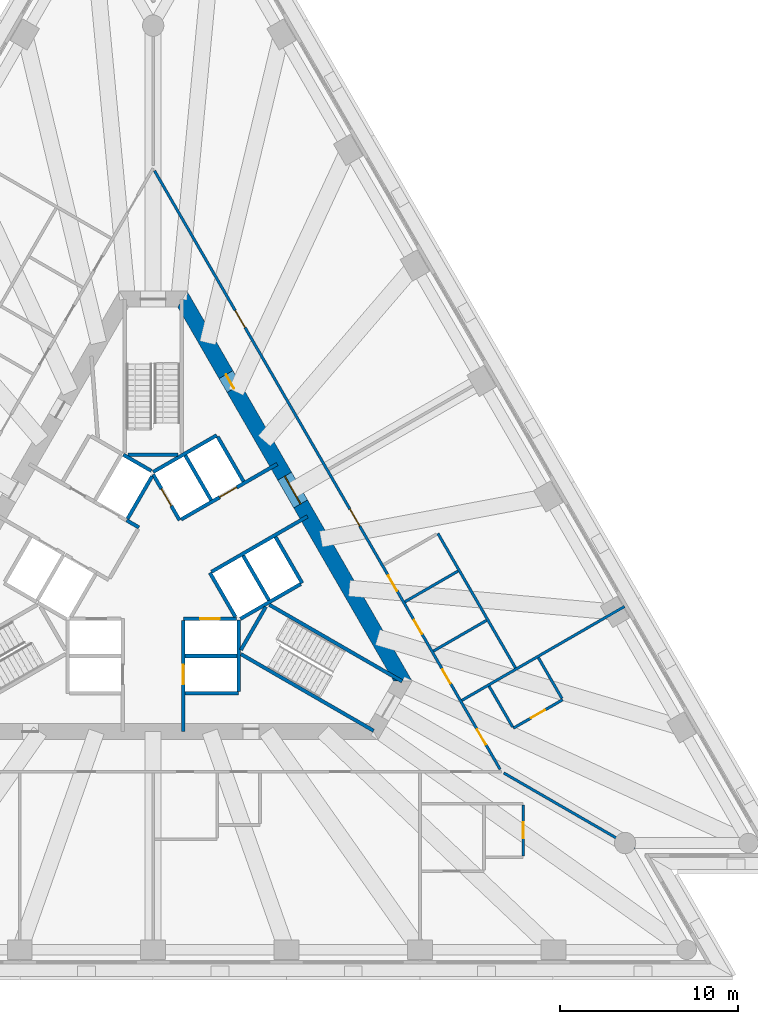
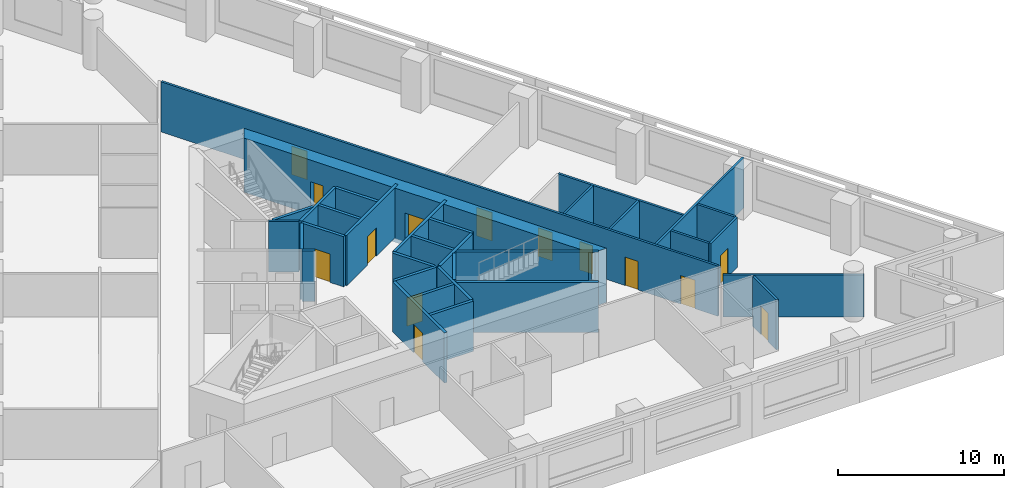
# One storey, part 5 of 9: 33 walls, 14 doors, 14 openings.
"""IFC4 building model written with IfcOpenShell, lengths in metres."""

from ifc_helpers import new_model, si_unit, direction, frame, frame_2d, origin, place, context, subcontext, project, spatial, polyline, rectangle, outline, extrude, material, layer, layer_set, type_object, element, fill, save


model = new_model("IFC4")

# Units and contexts
model_context = context("Model", 3, precision=1e-05, world=origin(), true_north=direction((0.0, 1.0)))
body_context = subcontext(model_context, "Body", "Model", "MODEL_VIEW")
ifc_project = project(units=[si_unit("LENGTHUNIT", "METRE"), si_unit("AREAUNIT", "SQUARE_METRE"), si_unit("VOLUMEUNIT", "CUBIC_METRE"), si_unit("PLANEANGLEUNIT", "RADIAN"), si_unit("MASSUNIT", "GRAM", prefix="KILO")], contexts=[model_context])

# Site, building, storey
site_placement = place(None, origin())
site = spatial("IfcSite", under=ifc_project, at=site_placement, CompositionType="ELEMENT")
building_placement = place(site_placement, origin())
building = spatial("IfcBuilding", under=site, at=building_placement, Name="Triada Interchange Tower", CompositionType="ELEMENT")
storey_placement = place(building_placement, frame((0.0, 0.0, 55.300048828125)))
storey = spatial("IfcBuildingStorey", under=building, at=storey_placement, Name="L11", CompositionType="ELEMENT", Elevation=55.300048828125)

# Walls
ifc_material_1 = material(Name="Concrete C30/37", Category="concrete")
ifc_layer_1 = layer(ifc_material_1, 0.199951171875)
ifc_layer_set_1 = layer_set([ifc_layer_1], Name="CORE WALL 200 EI 120")
wall_type_1 = type_object("IfcWallType", Name="CORE WALL 200 EI 120", PredefinedType="SOLIDWALL", material=ifc_layer_set_1)
wall_1_placement = place(storey_placement, frame((1.800048828125, -4.800048828125, 0.0), z_axis=(0.0, 0.0, 1.0), x_axis=(1.0, 0.0, 0.0)))
element("IfcWall", 1, at=wall_1_placement, inside=storey, type_object=wall_type_1, Name="Wall L09 40", PredefinedType="SOLIDWALL", context=body_context, shape_type="SweptSolid", body=[
    extrude(rectangle(XDim=2.89990234375, YDim=0.199951171875, at=frame_2d((1.449951171875, 0.0))), origin(), (0.0, 0.0, 1.0), 3.699951171875),
])
wall_2_placement = place(storey_placement, frame((1.800048828125, -6.89990234375, 0.0), z_axis=(0.0, 0.0, 1.0), x_axis=(1.0, 0.0, 0.0)))
element("IfcWall", 2, at=wall_2_placement, inside=storey, type_object=wall_type_1, Name="Wall L09 43", PredefinedType="SOLIDWALL", context=body_context, shape_type="SweptSolid", body=[
    extrude(rectangle(XDim=3.0, YDim=0.199951171875, at=frame_2d((1.5, 0.0))), origin(), (0.0, 0.0, 1.0), 3.699951171875),
])

# Wall, opening, door
wall_3_placement = place(storey_placement, frame((1.702880859375, -2.699951171875, 0.0), z_axis=(0.0, 0.0, 1.0), x_axis=(1.0, 0.0, 0.0)))
wall_3 = element("IfcWall", 3, at=wall_3_placement, inside=storey, type_object=wall_type_1, Name="Wall L09 46", PredefinedType="SOLIDWALL", context=body_context, shape_type="SweptSolid", body=[
    extrude(rectangle(XDim=2.97314453125, YDim=0.199951171875, at=frame_2d((1.486572265625, 0.0))), origin(), (0.0, 0.0, 1.0), 3.699951171875),
])
opening_1_placement = place(wall_3_placement, frame((0.93603515625, 0.0, 0.0)))
opening_1 = element("IfcOpeningElement", 4, at=opening_1_placement, cuts=wall_3, Name="Opening LD-LR1", PredefinedType="OPENING", context=body_context, shape_type="SweptSolid", body=[
    extrude(rectangle(XDim=1.10009765625, YDim=2.10009765625, at=frame_2d((0.550048828125, 1.050048828125))), frame((0.0, 0.10986328125, 0.0), z_axis=(0.0, -1.0, 0.0), x_axis=(1.0, 0.0, 0.0)), (0.0, 0.0, 1.0), 0.219970703125),
])
ifc_material_2 = material(Name="Steel S235 door leaf", Category="steel")
door_type_1 = type_object("IfcDoorType", Name="LIFT LANDING DOOR 1100 EI 120", OperationType="SLIDING_TO_LEFT", PredefinedType="DOOR", material=ifc_material_2)
door_1_placement = place(opening_1_placement, origin())
door_1 = element("IfcDoor", 5, at=door_1_placement, inside=storey, type_object=door_type_1, Name="LR1 landing door L11", OperationType="SLIDING_TO_LEFT", OverallHeight=2.10009765625, OverallWidth=1.10009765625, PredefinedType="DOOR", context=body_context, shape_type="SweptSolid", body=[
    extrude(rectangle(XDim=1.10009765625, YDim=2.10009765625, at=frame_2d((0.550048828125, 1.050048828125))), frame((0.0, 0.02490234375, 0.0), z_axis=(0.0, -1.0, 0.0), x_axis=(1.0, 0.0, 0.0)), (0.0, 0.0, 1.0), 0.050048828125),
])
fill(opening_1, door_1)

# Wall
wall_4_placement = place(storey_placement, frame((-0.001953125, 5.541015625, 0.0), z_axis=(0.0, 0.0, 1.0), x_axis=(0.86600155993, 0.500041296494, 0.0)))
element("IfcWall", 6, at=wall_4_placement, inside=storey, type_object=wall_type_1, Name="Wall L09 47", PredefinedType="SOLIDWALL", context=body_context, shape_type="SweptSolid", body=[
    extrude(rectangle(XDim=4.131591796875, YDim=0.199951171875, at=frame_2d((2.06591796875, 0.0))), origin(), (0.0, 0.0, 1.0), 3.699951171875),
])

# Wall, opening, door
wall_5_placement = place(storey_placement, frame((0.0, 5.39990234375, 0.0), z_axis=(0.0, 0.0, 1.0), x_axis=(0.500103862429, -0.865965430478, 0.0)))
wall_5 = element("IfcWall", 7, at=wall_5_placement, inside=storey, type_object=wall_type_1, Name="Wall L09 48", PredefinedType="SOLIDWALL", context=body_context, shape_type="SweptSolid", body=[
    extrude(rectangle(XDim=2.973388671875, YDim=0.199951171875, at=frame_2d((1.48681640625, 0.0))), origin(), (0.0, 0.0, 1.0), 3.699951171875),
])
opening_2_placement = place(wall_5_placement, frame((0.93701171875, 0.0, 0.0)))
opening_2 = element("IfcOpeningElement", 8, at=opening_2_placement, cuts=wall_5, Name="Opening LD-LR5", PredefinedType="OPENING", context=body_context, shape_type="SweptSolid", body=[
    extrude(rectangle(XDim=1.10009765625, YDim=2.10009765625, at=frame_2d((0.550048828125, 1.050048828125))), frame((0.0, 0.10986328125, 0.0), z_axis=(0.0, -1.0, 0.0), x_axis=(1.0, 0.0, 0.0)), (0.0, 0.0, 1.0), 0.219970703125),
])
door_2_placement = place(opening_2_placement, origin())
door_2 = element("IfcDoor", 9, at=door_2_placement, inside=storey, type_object=door_type_1, Name="LR5 landing door L11", OperationType="SLIDING_TO_LEFT", OverallHeight=2.10009765625, OverallWidth=1.10009765625, PredefinedType="DOOR", context=body_context, shape_type="SweptSolid", body=[
    extrude(rectangle(XDim=1.10009765625, YDim=2.10009765625, at=frame_2d((0.550048828125, 1.050048828125))), frame((0.0, 0.02490234375, 0.0), z_axis=(0.0, -1.0, 0.0), x_axis=(1.0, 0.0, 0.0)), (0.0, 0.0, 1.0), 0.050048828125),
])
fill(opening_2, door_2)

# Wall
wall_6_placement = place(storey_placement, frame((3.18994140625, -0.125, 0.0), z_axis=(0.0, 0.0, 1.0), x_axis=(0.499988658015, -0.866031951983, 0.0)))
element("IfcWall", 10, at=wall_6_placement, inside=storey, type_object=wall_type_1, Name="Wall L09 49", PredefinedType="SOLIDWALL", context=body_context, shape_type="SweptSolid", body=[
    extrude(rectangle(XDim=2.85791015625, YDim=0.199951171875, at=frame_2d((1.428955078125, 0.0))), origin(), (0.0, 0.0, 1.0), 3.699951171875),
])

# Wall, opening, door
wall_7_placement = place(storey_placement, frame((1.577880859375, 2.8740234375, 0.0), z_axis=(0.0, 0.0, 1.0), x_axis=(0.866031483044, 0.499989470266, 0.0)))
wall_7 = element("IfcWall", 11, at=wall_7_placement, inside=storey, type_object=wall_type_1, Name="Wall L09 50", PredefinedType="SOLIDWALL", context=body_context, shape_type="SweptSolid", body=[
    extrude(rectangle(XDim=6.226318359375, YDim=0.199951171875, at=frame_2d((3.11328125, 0.0))), origin(), (0.0, 0.0, 1.0), 3.699951171875),
])
opening_3_placement = place(wall_7_placement, frame((2.49609375, 0.0, 0.0)))
opening_3 = element("IfcOpeningElement", 12, at=opening_3_placement, cuts=wall_7, Name="Opening LD-LR6", PredefinedType="OPENING", context=body_context, shape_type="SweptSolid", body=[
    extrude(rectangle(XDim=1.10009765625, YDim=2.10009765625, at=frame_2d((0.550048828125, 1.050048828125))), frame((0.0, 0.10986328125, 0.0), z_axis=(0.0, -1.0, 0.0), x_axis=(1.0, 0.0, 0.0)), (0.0, 0.0, 1.0), 0.219970703125),
])
door_3_placement = place(opening_3_placement, origin())
door_3 = element("IfcDoor", 13, at=door_3_placement, inside=storey, type_object=door_type_1, Name="LR6 landing door L11", OperationType="SLIDING_TO_LEFT", OverallHeight=2.10009765625, OverallWidth=1.10009765625, PredefinedType="DOOR", context=body_context, shape_type="SweptSolid", body=[
    extrude(rectangle(XDim=1.10009765625, YDim=2.10009765625, at=frame_2d((0.550048828125, 1.050048828125))), frame((0.0, 0.02490234375, 0.0), z_axis=(0.0, -1.0, 0.0), x_axis=(1.0, 0.0, 0.0)), (0.0, 0.0, 1.0), 0.050048828125),
])
fill(opening_3, door_3)

wall_8_placement = place(storey_placement, frame((1.699951171875, -9.030029296875, 0.0), z_axis=(0.0, 0.0, 1.0), x_axis=(0.0, 1.0, 0.0)))
wall_8 = element("IfcWall", 14, at=wall_8_placement, inside=storey, type_object=wall_type_1, Name="Wall L09 51", PredefinedType="SOLIDWALL", context=body_context, shape_type="SweptSolid", body=[
    extrude(rectangle(XDim=6.22705078125, YDim=0.199951171875, at=frame_2d((3.113525390625, 0.0))), origin(), (0.0, 0.0, 1.0), 3.699951171875),
])
opening_4_placement = place(wall_8_placement, frame((2.6298828125, 0.0, 0.0)))
opening_4 = element("IfcOpeningElement", 15, at=opening_4_placement, cuts=wall_8, Name="Opening LD-LR2", PredefinedType="OPENING", context=body_context, shape_type="SweptSolid", body=[
    extrude(rectangle(XDim=1.10009765625, YDim=2.10009765625, at=frame_2d((0.550048828125, 1.050048828125))), frame((0.0, 0.10986328125, 0.0), z_axis=(0.0, -1.0, 0.0), x_axis=(1.0, 0.0, 0.0)), (0.0, 0.0, 1.0), 0.219970703125),
])
door_4_placement = place(opening_4_placement, origin())
door_4 = element("IfcDoor", 16, at=door_4_placement, inside=storey, type_object=door_type_1, Name="LR2 landing door L11", OperationType="SLIDING_TO_LEFT", OverallHeight=2.10009765625, OverallWidth=1.10009765625, PredefinedType="DOOR", context=body_context, shape_type="SweptSolid", body=[
    extrude(rectangle(XDim=1.10009765625, YDim=2.10009765625, at=frame_2d((0.550048828125, 1.050048828125))), frame((0.0, 0.02490234375, 0.0), z_axis=(0.0, -1.0, 0.0), x_axis=(1.0, 0.0, 0.0)), (0.0, 0.0, 1.0), 0.050048828125),
])
fill(opening_4, door_4)

# Walls
wall_9_placement = place(storey_placement, frame((4.800048828125, -6.800048828125, 0.0), z_axis=(0.0, 0.0, 1.0), x_axis=(0.0, 1.0, 0.0)))
element("IfcWall", 17, at=wall_9_placement, inside=storey, type_object=wall_type_1, Name="Wall L09 52", PredefinedType="SOLIDWALL", context=body_context, shape_type="SweptSolid", body=[
    extrude(rectangle(XDim=4.029052734375, YDim=0.199951171875, at=frame_2d((2.0146484375, 0.0))), origin(), (0.0, 0.0, 1.0), 3.699951171875),
])
wall_10_placement = place(storey_placement, frame((3.278076171875, -0.071044921875, 0.0), z_axis=(0.0, 0.0, 1.0), x_axis=(0.865953757655, 0.500124074208, 0.0)))
element("IfcWall", 18, at=wall_10_placement, inside=storey, type_object=wall_type_1, Name="Wall L09 53", PredefinedType="SOLIDWALL", context=body_context, shape_type="SweptSolid", body=[
    extrude(rectangle(XDim=6.2265625, YDim=0.199951171875, at=frame_2d((3.11328125, 0.0))), origin(), (0.0, 0.0, 1.0), 3.699951171875),
])
wall_11_placement = place(storey_placement, frame((3.6259765625, 7.52001953125, 0.0), z_axis=(0.0, 0.0, 1.0), x_axis=(0.500060147554, -0.865990674793, 0.0)))
element("IfcWall", 19, at=wall_11_placement, inside=storey, type_object=wall_type_1, Name="Wall L09 54", PredefinedType="SOLIDWALL", context=body_context, shape_type="SweptSolid", body=[
    extrude(rectangle(XDim=2.899658203125, YDim=0.199951171875, at=frame_2d((1.44970703125, 0.0))), origin(), (0.0, 0.0, 1.0), 3.699951171875),
])
wall_12_placement = place(storey_placement, frame((6.8759765625, 1.89111328125, 0.0), z_axis=(0.0, 0.0, 1.0), x_axis=(0.499990139034, -0.866031096941, 0.0)))
element("IfcWall", 20, at=wall_12_placement, inside=storey, type_object=wall_type_1, Name="Wall L09 55", PredefinedType="SOLIDWALL", context=body_context, shape_type="SweptSolid", body=[
    extrude(rectangle(XDim=3.0, YDim=0.199951171875, at=frame_2d((1.5, 0.0))), origin(), (0.0, 0.0, 1.0), 3.699951171875),
])
for number, where, z_axis, x_axis, name in (
    (21, (1.806884765625, 6.469970703125, 0.0), (0.0, 0.0, 1.0), (0.50012328804, -0.865954211699, 0.0), "Wall L09 56"),
    (22, (5.056884765625, 0.841064453125, 0.0), (0.0, 0.0, 1.0), (0.50012328804, -0.865954211699, 0.0), "Wall L09 57"),
):
    element("IfcWall", number, at=place(storey_placement, frame(where, z_axis=z_axis, x_axis=x_axis)), inside=storey, type_object=wall_type_1, Name=name, PredefinedType="SOLIDWALL", context=body_context, shape_type="SweptSolid", body=[
        extrude(rectangle(XDim=2.899658203125, YDim=0.199951171875, at=frame_2d((1.44970703125, 0.0))), origin(), (0.0, 0.0, 1.0), 3.699951171875),
    ])
wall_13_placement = place(storey_placement, frame((4.89990234375, -2.714111328125, 0.0), z_axis=(0.0, 0.0, 1.0), x_axis=(0.865992350556, 0.500057245502, 0.0)))
element("IfcWall", 23, at=wall_13_placement, inside=storey, type_object=wall_type_1, Name="Wall L09 58", PredefinedType="SOLIDWALL", context=body_context, shape_type="SweptSolid", body=[
    extrude(rectangle(XDim=3.91357421875, YDim=0.199951171875, at=frame_2d((1.956787109375, 0.0))), origin(), (0.0, 0.0, 1.0), 3.699951171875),
])
ifc_layer_2 = layer(ifc_material_1, 0.199951171875)
ifc_layer_set_2 = layer_set([ifc_layer_2], Name="CORE WALL 200 EI 180")
wall_type_2 = type_object("IfcWallType", Name="CORE WALL 200 EI 180", PredefinedType="SOLIDWALL", material=ifc_layer_set_2)
wall_14_placement = place(storey_placement, frame((-1.488037109375, 2.822021484375, 0.0), z_axis=(0.0, 0.0, 1.0), x_axis=(0.866236612152, -0.499633997809, 0.0)))
element("IfcWall", 24, at=wall_14_placement, inside=storey, type_object=wall_type_2, Name="Wall L09 62", PredefinedType="SOLIDWALL", context=body_context, shape_type="SweptSolid", body=[
    extrude(rectangle(XDim=0.79638671875, YDim=0.199951171875, at=frame_2d((0.398193359375, 0.0))), origin(), (0.0, 0.0, 1.0), 3.699951171875),
])
wall_15_placement = place(storey_placement, frame((-1.669921875, 6.507080078125, 0.0), z_axis=(0.0, 0.0, 1.0), x_axis=(0.865941441609, -0.500145398563, 0.0)))
element("IfcWall", 25, at=wall_15_placement, inside=storey, type_object=wall_type_2, Name="Shaft wall FF2 L09 72", PredefinedType="SOLIDWALL", context=body_context, shape_type="SweptSolid", body=[
    extrude(rectangle(XDim=1.8154296875, YDim=0.199951171875, at=frame_2d((0.90771484375, 0.0))), origin(), (0.0, 0.0, 1.0), 3.699951171875),
])
wall_16_placement = place(storey_placement, frame((-1.43798828125, 2.908935546875, 0.0), z_axis=(0.0, 0.0, 1.0), x_axis=(0.499829630636, 0.866123744241, 0.0)))
element("IfcWall", 26, at=wall_16_placement, inside=storey, type_object=wall_type_2, Name="Shaft wall FF2 L09 73", PredefinedType="SOLIDWALL", context=body_context, shape_type="SweptSolid", body=[
    extrude(rectangle(XDim=2.7607421875, YDim=0.199951171875, at=frame_2d((1.38037109375, 0.0))), origin(), (0.0, 0.0, 1.0), 3.699951171875),
])
ifc_layer_3 = layer(ifc_material_1, 0.199951171875)
ifc_layer_set_3 = layer_set([ifc_layer_3], Name="CORE WALL 200 REI 240")
wall_type_3 = type_object("IfcWallType", Name="CORE WALL 200 REI 240", PredefinedType="SOLIDWALL", material=ifc_layer_set_3)
wall_17_placement = place(storey_placement, frame((-1.39990234375, 6.5, 0.0), z_axis=(0.0, 0.0, 1.0), x_axis=(1.0, 0.0, 0.0)))
element("IfcWall", 27, at=wall_17_placement, inside=storey, type_object=wall_type_3, Name="Wall L09 79", PredefinedType="SOLIDWALL", context=body_context, shape_type="SweptSolid", body=[
    extrude(rectangle(XDim=2.7998046875, YDim=0.199951171875, at=frame_2d((1.39990234375, 0.0))), origin(), (0.0, 0.0, 1.0), 3.699951171875),
])
wall_18_placement = place(storey_placement, frame((4.928955078125, -4.693115234375, 0.0), z_axis=(0.0, 0.0, 1.0), x_axis=(0.866010975815, -0.500024989144, 0.0)))
element("IfcWall", 28, at=wall_18_placement, inside=storey, type_object=wall_type_3, Name="Wall L09 81", PredefinedType="SOLIDWALL", context=body_context, shape_type="SweptSolid", body=[
    extrude(rectangle(XDim=8.615234375, YDim=0.199951171875, at=frame_2d((4.3076171875, 0.0))), origin(), (0.0, 0.0, 1.0), 3.699951171875),
])
wall_19_placement = place(storey_placement, frame((4.928955078125, -4.4619140625, 0.0), z_axis=(0.0, 0.0, 1.0), x_axis=(0.500200581029, 0.865909567298, 0.0)))
element("IfcWall", 29, at=wall_19_placement, inside=storey, type_object=wall_type_3, Name="Wall L09 82", PredefinedType="SOLIDWALL", context=body_context, shape_type="SweptSolid", body=[
    extrude(rectangle(XDim=2.799072265625, YDim=0.199951171875, at=frame_2d((1.3994140625, 0.0))), origin(), (0.0, 0.0, 1.0), 3.699951171875),
])
wall_20_placement = place(storey_placement, frame((6.529052734375, -1.922119140625, 0.0), z_axis=(0.0, 0.0, 1.0), x_axis=(0.866060059011, -0.499939970583, 0.0)))
element("IfcWall", 30, at=wall_20_placement, inside=storey, type_object=wall_type_3, Name="Wall L09 83", PredefinedType="SOLIDWALL", context=body_context, shape_type="SweptSolid", body=[
    extrude(rectangle(XDim=8.61474609375, YDim=0.199951171875, at=frame_2d((4.307373046875, 0.0))), origin(), (0.0, 0.0, 1.0), 3.699951171875),
])

# Wall, openings, doors
ifc_material_3 = material(Name="Concrete C70/85", Category="concrete")
ifc_layer_4 = layer(ifc_material_3, 0.89990234375)
ifc_layer_set_4 = layer_set([ifc_layer_4], Name="Core wall A 900")
wall_type_4 = type_object("IfcWallType", Name="Core wall A 900", PredefinedType="SHEAR", material=ifc_layer_set_4)
wall_21_placement = place(storey_placement, frame((14.030029296875, -6.199951171875, -0.300048828125), z_axis=(0.0, 0.0, 1.0), x_axis=(-0.500026485275, 0.866010111964, 0.0)))
wall_21 = element("IfcWall", 31, at=wall_21_placement, inside=storey, type_object=wall_type_4, Name="Core wall WA06 L11", PredefinedType="SHEAR", context=body_context, shape_type="SweptSolid", body=[
    extrude(outline(polyline([(-0.260009765625, -0.448974609375), (1.685302734375, -0.448974609375), (3.63037109375, -0.44921875), (5.57568359375, -0.44921875), (7.52099609375, -0.44921875), (9.466064453125, -0.449462890625), (11.411376953125, -0.449462890625), (13.356689453125, -0.449462890625), (15.302001953125, -0.449462890625), (17.2470703125, -0.44970703125), (19.1923828125, -0.44970703125), (21.1376953125, -0.44970703125), (23.082763671875, -0.449951171875), (25.028076171875, -0.449951171875), (24.509033203125, 0.448974609375), (22.643798828125, 0.448974609375), (20.7783203125, 0.44921875), (18.9130859375, 0.44921875), (17.0478515625, 0.44921875), (15.182373046875, 0.449462890625), (13.317138671875, 0.449462890625), (11.451904296875, 0.449462890625), (9.586669921875, 0.449462890625), (7.72119140625, 0.44970703125), (5.85595703125, 0.44970703125), (3.99072265625, 0.44970703125), (2.125244140625, 0.449951171875), (0.260009765625, 0.449951171875), (-0.260009765625, -0.448974609375)])), origin(), (0.0, 0.0, 1.0), 4.0),
])
opening_5_placement = place(wall_21_placement, frame((11.48388671875, 0.0, 0.300048828125)))
opening_5 = element("IfcOpeningElement", 32, at=opening_5_placement, cuts=wall_21, Name="Opening D09-35", PredefinedType="OPENING", context=body_context, shape_type="SweptSolid", body=[
    extrude(rectangle(XDim=1.800048828125, YDim=2.10009765625, at=frame_2d((0.89990234375, 1.050048828125))), frame((0.0, 0.4599609375, 0.0), z_axis=(0.0, -1.0, 0.0), x_axis=(1.0, 0.0, 0.0)), (0.0, 0.0, 1.0), 0.919921875),
])
opening_6_placement = place(wall_21_placement, frame((18.97607421875, 0.0, 0.300048828125)))
opening_6 = element("IfcOpeningElement", 33, at=opening_6_placement, cuts=wall_21, Name="Opening D09-43", PredefinedType="OPENING", context=body_context, shape_type="SweptSolid", body=[
    extrude(rectangle(XDim=0.89990234375, YDim=2.10009765625, at=frame_2d((0.449951171875, 1.050048828125))), frame((0.0, 0.4599609375, 0.0), z_axis=(0.0, -1.0, 0.0), x_axis=(1.0, 0.0, 0.0)), (0.0, 0.0, 1.0), 0.919921875),
])
door_type_2 = type_object("IfcDoorType", Name="LOBBY DOOR 1800 EI2 90-C5S200", OperationType="DOUBLE_DOOR_SINGLE_SWING", PredefinedType="DOOR", material=ifc_material_2)
door_5_placement = place(opening_5_placement, origin())
door_5 = element("IfcDoor", 34, at=door_5_placement, inside=storey, type_object=door_type_2, Name="Door D09-35 L11", OperationType="DOUBLE_DOOR_SINGLE_SWING", OverallHeight=2.10009765625, OverallWidth=1.800048828125, PredefinedType="DOOR", context=body_context, shape_type="SweptSolid", body=[
    extrude(rectangle(XDim=1.800048828125, YDim=2.10009765625, at=frame_2d((0.89990234375, 1.050048828125))), frame((0.0, 0.02490234375, 0.0), z_axis=(0.0, -1.0, 0.0), x_axis=(1.0, 0.0, 0.0)), (0.0, 0.0, 1.0), 0.050048828125),
])
fill(opening_5, door_5)
door_type_3 = type_object("IfcDoorType", Name="RISER ACCESS DOOR 900 EI2 45-C5S200", OperationType="NOTDEFINED", PredefinedType="DOOR", material=ifc_material_2)
door_6_placement = place(opening_6_placement, origin())
door_6 = element("IfcDoor", 35, at=door_6_placement, inside=storey, type_object=door_type_3, Name="Door D09-43 L11", OperationType="SINGLE_SWING_LEFT", OverallHeight=2.10009765625, OverallWidth=0.89990234375, PredefinedType="DOOR", context=body_context, shape_type="SweptSolid", body=[
    extrude(rectangle(XDim=0.89990234375, YDim=2.10009765625, at=frame_2d((0.449951171875, 1.050048828125))), frame((0.0, 0.02490234375, 0.0), z_axis=(0.0, -1.0, 0.0), x_axis=(1.0, 0.0, 0.0)), (0.0, 0.0, 1.0), 0.050048828125),
])
fill(opening_6, door_6)

# Wall
ifc_material_4 = material(Name="Gypsum board partition")
ifc_layer_5 = layer(ifc_material_4, 0.14990234375)
ifc_layer_set_5 = layer_set([ifc_layer_5], Name="PARTITION 150 EI 180")
wall_type_5 = type_object("IfcWallType", Name="PARTITION 150 EI 180", PredefinedType="PARTITIONING", material=ifc_layer_set_5)
wall_22_placement = place(storey_placement, frame((19.701904296875, -11.3740234375, 0.0), z_axis=(0.0, 0.0, 1.0), x_axis=(0.865962467537, -0.500108992938, 0.0)))
element("IfcWall", 36, at=wall_22_placement, inside=storey, type_object=wall_type_5, Name="Wall L09 7", PredefinedType="PARTITIONING", context=body_context, shape_type="SweptSolid", body=[
    extrude(rectangle(XDim=8.4921875, YDim=0.14990234375, at=frame_2d((4.24609375, 0.0))), origin(), (0.0, 0.0, 1.0), 3.099853515625),
])

# Wall, openings, doors
wall_23_placement = place(storey_placement, frame((0.074951171875, 22.469970703125, 0.0), z_axis=(0.0, 0.0, 1.0), x_axis=(0.500002280369, -0.866024087209, 0.0)))
wall_23 = element("IfcWall", 37, at=wall_23_placement, inside=storey, type_object=wall_type_5, Name="Wall L09 19", PredefinedType="PARTITIONING", context=body_context, shape_type="SweptSolid", body=[
    extrude(rectangle(XDim=38.843994140625, YDim=0.14990234375, at=frame_2d((19.421875, 0.0))), origin(), (0.0, 0.0, 1.0), 3.699951171875),
])
opening_7_placement = place(wall_23_placement, frame((36.243896484375, 0.0, 0.0)))
opening_7 = element("IfcOpeningElement", 38, at=opening_7_placement, cuts=wall_23, Name="Opening D09-20", PredefinedType="OPENING", context=body_context, shape_type="SweptSolid", body=[
    extrude(rectangle(XDim=1.0, YDim=2.10009765625, at=frame_2d((0.5, 1.050048828125))), frame((0.0, 0.0849609375, 0.0), z_axis=(0.0, -1.0, 0.0), x_axis=(1.0, 0.0, 0.0)), (0.0, 0.0, 1.0), 0.169921875),
])
opening_8_placement = place(wall_23_placement, frame((21.962890625, 0.0, 0.0)))
opening_8 = element("IfcOpeningElement", 39, at=opening_8_placement, cuts=wall_23, Name="Opening D09-22", PredefinedType="OPENING", context=body_context, shape_type="SweptSolid", body=[
    extrude(rectangle(XDim=1.10009765625, YDim=2.10009765625, at=frame_2d((0.550048828125, 1.050048828125))), frame((0.0, 0.0849609375, 0.0), z_axis=(0.0, -1.0, 0.0), x_axis=(1.0, 0.0, 0.0)), (0.0, 0.0, 1.0), 0.169921875),
])
opening_9_placement = place(wall_23_placement, frame((32.363037109375, 0.0, 0.0)))
opening_9 = element("IfcOpeningElement", 40, at=opening_9_placement, cuts=wall_23, Name="Opening D09-23", PredefinedType="OPENING", context=body_context, shape_type="SweptSolid", body=[
    extrude(rectangle(XDim=0.89990234375, YDim=2.10009765625, at=frame_2d((0.449951171875, 1.050048828125))), frame((0.0, 0.0849609375, 0.0), z_axis=(0.0, -1.0, 0.0), x_axis=(1.0, 0.0, 0.0)), (0.0, 0.0, 1.0), 0.169921875),
])
opening_10_placement = place(wall_23_placement, frame((29.1630859375, 0.0, 0.0)))
opening_10 = element("IfcOpeningElement", 41, at=opening_10_placement, cuts=wall_23, Name="Opening D09-24", PredefinedType="OPENING", context=body_context, shape_type="SweptSolid", body=[
    extrude(rectangle(XDim=0.89990234375, YDim=2.10009765625, at=frame_2d((0.449951171875, 1.050048828125))), frame((0.0, 0.0849609375, 0.0), z_axis=(0.0, -1.0, 0.0), x_axis=(1.0, 0.0, 0.0)), (0.0, 0.0, 1.0), 0.169921875),
])
opening_11_placement = place(wall_23_placement, frame((26.262939453125, 0.0, 0.0)))
opening_11 = element("IfcOpeningElement", 42, at=opening_11_placement, cuts=wall_23, Name="Opening D09-25", PredefinedType="OPENING", context=body_context, shape_type="SweptSolid", body=[
    extrude(rectangle(XDim=1.0, YDim=2.10009765625, at=frame_2d((0.5, 1.050048828125))), frame((0.0, 0.0849609375, 0.0), z_axis=(0.0, -1.0, 0.0), x_axis=(1.0, 0.0, 0.0)), (0.0, 0.0, 1.0), 0.169921875),
])
opening_12_placement = place(wall_23_placement, frame((9.071044921875, 0.0, 0.0)))
opening_12 = element("IfcOpeningElement", 43, at=opening_12_placement, cuts=wall_23, Name="Opening D09-26", PredefinedType="OPENING", context=body_context, shape_type="SweptSolid", body=[
    extrude(rectangle(XDim=1.10009765625, YDim=2.10009765625, at=frame_2d((0.550048828125, 1.050048828125))), frame((0.0, 0.0849609375, 0.0), z_axis=(0.0, -1.0, 0.0), x_axis=(1.0, 0.0, 0.0)), (0.0, 0.0, 1.0), 0.169921875),
])
door_type_4 = type_object("IfcDoorType", Name="ROOM DOOR 1000 EI2 90-C5S200", OperationType="NOTDEFINED", PredefinedType="DOOR", material=ifc_material_2)
door_7_placement = place(opening_7_placement, origin())
door_7 = element("IfcDoor", 44, at=door_7_placement, inside=storey, type_object=door_type_4, Name="Door D09-20 L11", OperationType="SINGLE_SWING_RIGHT", OverallHeight=2.10009765625, OverallWidth=1.0, PredefinedType="DOOR", context=body_context, shape_type="SweptSolid", body=[
    extrude(rectangle(XDim=1.0, YDim=2.10009765625, at=frame_2d((0.5, 1.050048828125))), frame((0.0, 0.02490234375, 0.0), z_axis=(0.0, -1.0, 0.0), x_axis=(1.0, 0.0, 0.0)), (0.0, 0.0, 1.0), 0.050048828125),
])
fill(opening_7, door_7)
door_8_placement = place(opening_11_placement, origin())
door_8 = element("IfcDoor", 45, at=door_8_placement, inside=storey, type_object=door_type_4, Name="Door D09-25 L11", OperationType="SINGLE_SWING_RIGHT", OverallHeight=2.10009765625, OverallWidth=1.0, PredefinedType="DOOR", context=body_context, shape_type="SweptSolid", body=[
    extrude(rectangle(XDim=1.0, YDim=2.10009765625, at=frame_2d((0.5, 1.050048828125))), frame((0.0, 0.02490234375, 0.0), z_axis=(0.0, -1.0, 0.0), x_axis=(1.0, 0.0, 0.0)), (0.0, 0.0, 1.0), 0.050048828125),
])
fill(opening_11, door_8)
door_type_5 = type_object("IfcDoorType", Name="ROOM DOOR 900 EI2 90-C5S200", OperationType="NOTDEFINED", PredefinedType="DOOR", material=ifc_material_2)
door_9_placement = place(opening_9_placement, origin())
door_9 = element("IfcDoor", 46, at=door_9_placement, inside=storey, type_object=door_type_5, Name="Door D09-23 L11", OperationType="SINGLE_SWING_RIGHT", OverallHeight=2.10009765625, OverallWidth=0.89990234375, PredefinedType="DOOR", context=body_context, shape_type="SweptSolid", body=[
    extrude(rectangle(XDim=0.89990234375, YDim=2.10009765625, at=frame_2d((0.449951171875, 1.050048828125))), frame((0.0, 0.02490234375, 0.0), z_axis=(0.0, -1.0, 0.0), x_axis=(1.0, 0.0, 0.0)), (0.0, 0.0, 1.0), 0.050048828125),
])
fill(opening_9, door_9)
door_10_placement = place(opening_10_placement, origin())
door_10 = element("IfcDoor", 47, at=door_10_placement, inside=storey, type_object=door_type_5, Name="Door D09-24 L11", OperationType="SINGLE_SWING_RIGHT", OverallHeight=2.10009765625, OverallWidth=0.89990234375, PredefinedType="DOOR", context=body_context, shape_type="SweptSolid", body=[
    extrude(rectangle(XDim=0.89990234375, YDim=2.10009765625, at=frame_2d((0.449951171875, 1.050048828125))), frame((0.0, 0.02490234375, 0.0), z_axis=(0.0, -1.0, 0.0), x_axis=(1.0, 0.0, 0.0)), (0.0, 0.0, 1.0), 0.050048828125),
])
fill(opening_10, door_10)
door_type_6 = type_object("IfcDoorType", Name="TENANCY ENTRANCE DOOR 1100 EI2 90-C5S200", OperationType="NOTDEFINED", PredefinedType="DOOR", material=ifc_material_2)
door_11_placement = place(opening_8_placement, origin())
door_11 = element("IfcDoor", 48, at=door_11_placement, inside=storey, type_object=door_type_6, Name="Door D09-22 L11", OperationType="SINGLE_SWING_RIGHT", OverallHeight=2.10009765625, OverallWidth=1.10009765625, PredefinedType="DOOR", context=body_context, shape_type="SweptSolid", body=[
    extrude(rectangle(XDim=1.10009765625, YDim=2.10009765625, at=frame_2d((0.550048828125, 1.050048828125))), frame((0.0, 0.02490234375, 0.0), z_axis=(0.0, -1.0, 0.0), x_axis=(1.0, 0.0, 0.0)), (0.0, 0.0, 1.0), 0.050048828125),
])
fill(opening_8, door_11)
door_12_placement = place(opening_12_placement, origin())
door_12 = element("IfcDoor", 49, at=door_12_placement, inside=storey, type_object=door_type_6, Name="Door D09-26 L11", OperationType="SINGLE_SWING_LEFT", OverallHeight=2.10009765625, OverallWidth=1.10009765625, PredefinedType="DOOR", context=body_context, shape_type="SweptSolid", body=[
    extrude(rectangle(XDim=1.10009765625, YDim=2.10009765625, at=frame_2d((0.550048828125, 1.050048828125))), frame((0.0, 0.02490234375, 0.0), z_axis=(0.0, -1.0, 0.0), x_axis=(1.0, 0.0, 0.0)), (0.0, 0.0, 1.0), 0.050048828125),
])
fill(opening_12, door_12)

# Walls
wall_24_placement = place(storey_placement, frame((15.9990234375, 2.087890625, 0.0), z_axis=(0.0, 0.0, 1.0), x_axis=(0.500054279689, -0.865994063124, 0.0)))
element("IfcWall", 50, at=wall_24_placement, inside=storey, type_object=wall_type_5, Name="Wall L09 22", PredefinedType="PARTITIONING", context=body_context, shape_type="SweptSolid", body=[
    extrude(rectangle(XDim=8.72509765625, YDim=0.14990234375, at=frame_2d((4.362548828125, 0.0))), origin(), (0.0, 0.0, 1.0), 3.699951171875),
])
wall_25_placement = place(storey_placement, frame((14.14697265625, -1.7529296875, 0.0), z_axis=(0.0, 0.0, 1.0), x_axis=(0.865991092016, 0.500059425018, 0.0)))
element("IfcWall", 51, at=wall_25_placement, inside=storey, type_object=wall_type_5, Name="Wall L09 24", PredefinedType="PARTITIONING", context=body_context, shape_type="SweptSolid", body=[
    extrude(rectangle(XDim=3.44921875, YDim=0.14990234375, at=frame_2d((1.724609375, 0.0))), origin(), (0.0, 0.0, 1.0), 3.699951171875),
])
wall_26_placement = place(storey_placement, frame((15.7470703125, -4.52392578125, 0.0), z_axis=(0.0, 0.0, 1.0), x_axis=(0.865973391227, 0.500090077572, 0.0)))
element("IfcWall", 52, at=wall_26_placement, inside=storey, type_object=wall_type_5, Name="Wall L09 26", PredefinedType="PARTITIONING", context=body_context, shape_type="SweptSolid", body=[
    extrude(rectangle(XDim=3.448974609375, YDim=0.14990234375, at=frame_2d((1.724609375, 0.0))), origin(), (0.0, 0.0, 1.0), 3.699951171875),
])
wall_27_placement = place(storey_placement, frame((17.346923828125, -7.294921875, 0.0), z_axis=(0.0, 0.0, 1.0), x_axis=(0.866027613664, 0.499996172356, 0.0)))
element("IfcWall", 53, at=wall_27_placement, inside=storey, type_object=wall_type_5, Name="Wall L09 27", PredefinedType="PARTITIONING", context=body_context, shape_type="SweptSolid", body=[
    extrude(rectangle(XDim=10.5517578125, YDim=0.14990234375, at=frame_2d((5.27587890625, 0.0))), origin(), (0.0, 0.0, 1.0), 3.699951171875),
])

# Wall, opening, door
ifc_layer_6 = layer(ifc_material_4, 0.14990234375)
ifc_layer_set_6 = layer_set([ifc_layer_6], Name="PARTITION 150 EI 90")
wall_type_6 = type_object("IfcWallType", Name="PARTITION 150 EI 90", PredefinedType="PARTITIONING", material=ifc_layer_set_6)
wall_28_placement = place(storey_placement, frame((20.791015625, -16.02490234375, 0.0), z_axis=(0.0, 0.0, 1.0), x_axis=(0.0, 1.0, 0.0)))
wall_28 = element("IfcWall", 54, at=wall_28_placement, inside=storey, type_object=wall_type_6, Name="Wall L09 33", PredefinedType="PARTITIONING", context=body_context, shape_type="SweptSolid", body=[
    extrude(rectangle(XDim=2.849853515625, YDim=0.14990234375, at=frame_2d((1.4248046875, 0.0))), origin(), (0.0, 0.0, 1.0), 3.699951171875),
])
opening_13_placement = place(wall_28_placement, frame((0.97509765625, 0.0, 0.0)))
opening_13 = element("IfcOpeningElement", 55, at=opening_13_placement, cuts=wall_28, Name="Opening D09-19", PredefinedType="OPENING", context=body_context, shape_type="SweptSolid", body=[
    extrude(rectangle(XDim=0.89990234375, YDim=2.10009765625, at=frame_2d((0.449951171875, 1.050048828125))), frame((0.0, 0.0849609375, 0.0), z_axis=(0.0, -1.0, 0.0), x_axis=(1.0, 0.0, 0.0)), (0.0, 0.0, 1.0), 0.169921875),
])
door_type_7 = type_object("IfcDoorType", Name="SERVICE DOOR 900 EI2 45-C5S200", OperationType="NOTDEFINED", PredefinedType="DOOR", material=ifc_material_2)
door_13_placement = place(opening_13_placement, origin())
door_13 = element("IfcDoor", 56, at=door_13_placement, inside=storey, type_object=door_type_7, Name="Door D09-19 L11", OperationType="SINGLE_SWING_RIGHT", OverallHeight=2.10009765625, OverallWidth=0.89990234375, PredefinedType="DOOR", context=body_context, shape_type="SweptSolid", body=[
    extrude(rectangle(XDim=0.89990234375, YDim=2.10009765625, at=frame_2d((0.449951171875, 1.050048828125))), frame((0.0, 0.02490234375, 0.0), z_axis=(0.0, -1.0, 0.0), x_axis=(1.0, 0.0, 0.0)), (0.0, 0.0, 1.0), 0.050048828125),
])
fill(opening_13, door_13)

wall_29_placement = place(storey_placement, frame((20.239990234375, -8.85693359375, 0.0), z_axis=(0.0, 0.0, 1.0), x_axis=(0.866099216793, 0.499872130319, 0.0)))
wall_29 = element("IfcWall", 57, at=wall_29_placement, inside=storey, type_object=wall_type_6, Name="Wall L09 34", PredefinedType="PARTITIONING", context=body_context, shape_type="SweptSolid", body=[
    extrude(rectangle(XDim=3.200439453125, YDim=0.14990234375, at=frame_2d((1.60009765625, 0.0))), origin(), (0.0, 0.0, 1.0), 3.699951171875),
])
opening_14_placement = place(wall_29_placement, frame((1.14990234375, 0.0, 0.0)))
opening_14 = element("IfcOpeningElement", 58, at=opening_14_placement, cuts=wall_29, Name="Opening D09-21", PredefinedType="OPENING", context=body_context, shape_type="SweptSolid", body=[
    extrude(rectangle(XDim=0.89990234375, YDim=2.10009765625, at=frame_2d((0.449951171875, 1.050048828125))), frame((0.0, 0.0849609375, 0.0), z_axis=(0.0, -1.0, 0.0), x_axis=(1.0, 0.0, 0.0)), (0.0, 0.0, 1.0), 0.169921875),
])
door_type_8 = type_object("IfcDoorType", Name="ROOM DOOR 900 EI2 45-C5S200", OperationType="NOTDEFINED", PredefinedType="DOOR", material=ifc_material_2)
door_14_placement = place(opening_14_placement, origin())
door_14 = element("IfcDoor", 59, at=door_14_placement, inside=storey, type_object=door_type_8, Name="Door D09-21 L11", OperationType="SINGLE_SWING_LEFT", OverallHeight=2.10009765625, OverallWidth=0.89990234375, PredefinedType="DOOR", context=body_context, shape_type="SweptSolid", body=[
    extrude(rectangle(XDim=0.89990234375, YDim=2.10009765625, at=frame_2d((0.449951171875, 1.050048828125))), frame((0.0, 0.02490234375, 0.0), z_axis=(0.0, -1.0, 0.0), x_axis=(1.0, 0.0, 0.0)), (0.0, 0.0, 1.0), 0.050048828125),
])
fill(opening_14, door_14)

# Walls
for number, where, z_axis, x_axis, name in (
    (60, (21.64892578125, -4.89794921875, 0.0), (0.0, 0.0, 1.0), (0.500222323776, -0.865897007037, 0.0), "Wall L09 35"),
    (61, (18.8779296875, -6.498046875, 0.0), (0.0, 0.0, 1.0), (0.500153222552, -0.865936922628, 0.0), "Wall L09 36"),
):
    element("IfcWall", number, at=place(storey_placement, frame(where, z_axis=z_axis, x_axis=x_axis)), inside=storey, type_object=wall_type_6, Name=name, PredefinedType="PARTITIONING", context=body_context, shape_type="SweptSolid", body=[
        extrude(rectangle(XDim=2.649169921875, YDim=0.14990234375, at=frame_2d((1.32470703125, 0.0))), origin(), (0.0, 0.0, 1.0), 3.699951171875),
    ])

save(model, "model.ifc")
